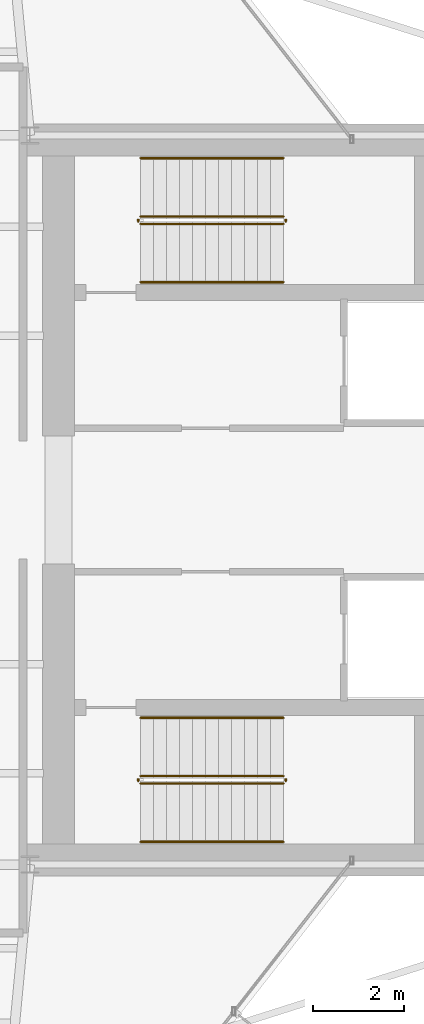
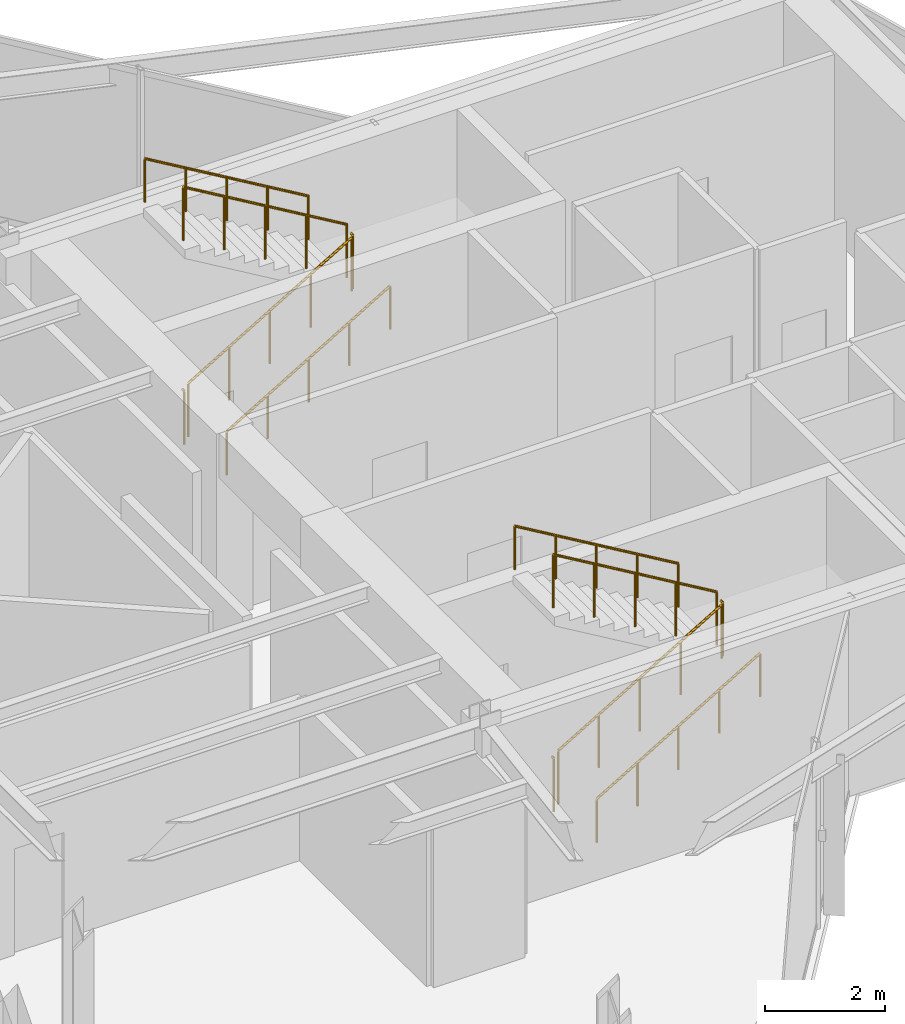
# One storey, part 21 of 21: 12 railings.
"""IFC4 building model written with IfcOpenShell, lengths in metres."""

from ifc_helpers import new_model, si_unit, direction, frame, origin, origin_2d, place, context, subcontext, project, spatial, circle, extrude, material, type_object, element, save


model = new_model("IFC4")

# Units and contexts
model_context = context("Model", 3, precision=1e-05, world=origin(), true_north=direction((0.0, 1.0)))
body_context = subcontext(model_context, "Body", "Model", "MODEL_VIEW")
ifc_project = project(units=[si_unit("LENGTHUNIT", "METRE"), si_unit("AREAUNIT", "SQUARE_METRE"), si_unit("VOLUMEUNIT", "CUBIC_METRE"), si_unit("PLANEANGLEUNIT", "RADIAN"), si_unit("MASSUNIT", "GRAM", prefix="KILO")], contexts=[model_context])

# Site, building, storey
site_placement = place(None, origin())
site = spatial("IfcSite", under=ifc_project, at=site_placement, CompositionType="ELEMENT")
building_placement = place(site_placement, origin())
building = spatial("IfcBuilding", under=site, at=building_placement, Name="Veymaron Broadcast Tower", CompositionType="ELEMENT")
storey_placement = place(building_placement, frame((0.0, 0.0, 244.5)))
storey = spatial("IfcBuildingStorey", under=building, at=storey_placement, Name="L57", CompositionType="ELEMENT", Elevation=244.5)

# Railings
ifc_material_1 = material(Name="Brushed stainless steel AISI 304", Category="steel")
railing_type_1 = type_object("IfcRailingType", Name="RAIL-STAIR-HR", PredefinedType="HANDRAIL", material=ifc_material_1)
railing_1_placement = place(storey_placement, frame((41.429931640625, 28.780029296875, 0.168701171875)))
element("IfcRailing", 1, at=railing_1_placement, inside=storey, type_object=railing_type_1, Name="L57 ST1 stair handrail 1", PredefinedType="HANDRAIL", context=body_context, shape_type="SweptSolid", body=[
    extrude(circle(Radius=0.02392578125, at=origin_2d()), frame((0.0, 0.0, 0.8759765625), z_axis=(0.860481960309, 0.0, 0.509480908359), x_axis=(0.0, 1.0, 0.0)), (0.0, 0.0, 1.0), 3.643310546875),
    extrude(circle(Radius=0.02099609375, at=origin_2d()), origin(), (0.0, 0.0, 1.0), 0.851806640625),
    extrude(circle(Radius=0.02099609375, at=origin_2d()), frame((0.78369140625, 0.0, 0.464111328125)), (0.0, 0.0, 1.0), 0.851806640625),
    extrude(circle(Radius=0.02099609375, at=origin_2d()), frame((1.5673828125, 0.0, 0.92822265625)), (0.0, 0.0, 1.0), 0.851806640625),
    extrude(circle(Radius=0.02099609375, at=origin_2d()), frame((2.351318359375, 0.0, 1.39208984375)), (0.0, 0.0, 1.0), 0.851806640625),
    extrude(circle(Radius=0.02099609375, at=origin_2d()), frame((3.135009765625, 0.0, 1.856201171875)), (0.0, 0.0, 1.0), 0.851806640625),
])
railing_2_placement = place(storey_placement, frame((44.56494140625, 31.5, 2.19384765625)))
element("IfcRailing", 2, at=railing_2_placement, inside=storey, type_object=railing_type_1, Name="L57 ST1 stair handrail 2", PredefinedType="HANDRAIL", context=body_context, shape_type="SweptSolid", body=[
    extrude(circle(Radius=0.02392578125, at=origin_2d()), frame((0.0, 0.0, 0.8759765625), z_axis=(-0.860481960309, 0.0, 0.509480908359), x_axis=(0.0, -1.0, 0.0)), (0.0, 0.0, 1.0), 3.643310546875),
    extrude(circle(Radius=0.02099609375, at=origin_2d()), origin(), (0.0, 0.0, 1.0), 0.851806640625),
    extrude(circle(Radius=0.02099609375, at=origin_2d()), frame((-0.78369140625, 0.0, 0.464111328125)), (0.0, 0.0, 1.0), 0.851806640625),
    extrude(circle(Radius=0.02099609375, at=origin_2d()), frame((-1.5673828125, 0.0, 0.92822265625)), (0.0, 0.0, 1.0), 0.851806640625),
    extrude(circle(Radius=0.02099609375, at=origin_2d()), frame((-2.351318359375, 0.0, 1.39208984375)), (0.0, 0.0, 1.0), 0.851806640625),
    extrude(circle(Radius=0.02099609375, at=origin_2d()), frame((-3.135009765625, 0.0, 1.856201171875)), (0.0, 0.0, 1.0), 0.851806640625),
])
railing_3_placement = place(storey_placement, frame((41.429931640625, 16.5, 0.168701171875)))
element("IfcRailing", 3, at=railing_3_placement, inside=storey, type_object=railing_type_1, Name="L57 ST2 stair handrail 1", PredefinedType="HANDRAIL", context=body_context, shape_type="SweptSolid", body=[
    extrude(circle(Radius=0.02392578125, at=origin_2d()), frame((0.0, 0.0, 0.8759765625), z_axis=(0.860481960309, 0.0, 0.509480908359), x_axis=(0.0, 1.0, 0.0)), (0.0, 0.0, 1.0), 3.643310546875),
    extrude(circle(Radius=0.02099609375, at=origin_2d()), origin(), (0.0, 0.0, 1.0), 0.851806640625),
    extrude(circle(Radius=0.02099609375, at=origin_2d()), frame((0.78369140625, 0.0, 0.464111328125)), (0.0, 0.0, 1.0), 0.851806640625),
    extrude(circle(Radius=0.02099609375, at=origin_2d()), frame((1.5673828125, 0.0, 0.92822265625)), (0.0, 0.0, 1.0), 0.851806640625),
    extrude(circle(Radius=0.02099609375, at=origin_2d()), frame((2.351318359375, 0.0, 1.39208984375)), (0.0, 0.0, 1.0), 0.851806640625),
    extrude(circle(Radius=0.02099609375, at=origin_2d()), frame((3.135009765625, 0.0, 1.856201171875)), (0.0, 0.0, 1.0), 0.851806640625),
])
railing_4_placement = place(storey_placement, frame((44.56494140625, 19.219970703125, 2.19384765625)))
element("IfcRailing", 4, at=railing_4_placement, inside=storey, type_object=railing_type_1, Name="L57 ST2 stair handrail 2", PredefinedType="HANDRAIL", context=body_context, shape_type="SweptSolid", body=[
    extrude(circle(Radius=0.02392578125, at=origin_2d()), frame((0.0, 0.0, 0.8759765625), z_axis=(-0.860481960309, 0.0, 0.509480908359), x_axis=(0.0, -1.0, 0.0)), (0.0, 0.0, 1.0), 3.643310546875),
    extrude(circle(Radius=0.02099609375, at=origin_2d()), origin(), (0.0, 0.0, 1.0), 0.851806640625),
    extrude(circle(Radius=0.02099609375, at=origin_2d()), frame((-0.78369140625, 0.0, 0.464111328125)), (0.0, 0.0, 1.0), 0.851806640625),
    extrude(circle(Radius=0.02099609375, at=origin_2d()), frame((-1.5673828125, 0.0, 0.92822265625)), (0.0, 0.0, 1.0), 0.851806640625),
    extrude(circle(Radius=0.02099609375, at=origin_2d()), frame((-2.351318359375, 0.0, 1.39208984375)), (0.0, 0.0, 1.0), 0.851806640625),
    extrude(circle(Radius=0.02099609375, at=origin_2d()), frame((-3.135009765625, 0.0, 1.856201171875)), (0.0, 0.0, 1.0), 0.851806640625),
])
ifc_material_2 = material(Name="Painted galvanized steel balustrade", Category="steel")
railing_type_2 = type_object("IfcRailingType", Name="RAIL-WELL-GRD", PredefinedType="GUARDRAIL", material=ifc_material_2)
railing_5_placement = place(storey_placement, frame((41.429931640625, 30.06005859375, 0.168701171875)))
element("IfcRailing", 5, at=railing_5_placement, inside=storey, type_object=railing_type_2, Name="L57 ST1 stair guard 1", PredefinedType="GUARDRAIL", context=body_context, shape_type="SweptSolid", body=[
    extrude(circle(Radius=0.02392578125, at=origin_2d()), frame((0.0, 0.0, 1.076171875), z_axis=(0.860481960309, 0.0, 0.509480908359), x_axis=(0.0, 1.0, 0.0)), (0.0, 0.0, 1.0), 3.643310546875),
    extrude(circle(Radius=0.02099609375, at=origin_2d()), origin(), (0.0, 0.0, 1.0), 1.052001953125),
    extrude(circle(Radius=0.02099609375, at=origin_2d()), frame((0.78369140625, 0.0, 0.464111328125)), (0.0, 0.0, 1.0), 1.052001953125),
    extrude(circle(Radius=0.02099609375, at=origin_2d()), frame((1.5673828125, 0.0, 0.92822265625)), (0.0, 0.0, 1.0), 1.052001953125),
    extrude(circle(Radius=0.02099609375, at=origin_2d()), frame((2.351318359375, 0.0, 1.39208984375)), (0.0, 0.0, 1.0), 1.052001953125),
    extrude(circle(Radius=0.02099609375, at=origin_2d()), frame((3.135009765625, 0.0, 1.856201171875)), (0.0, 0.0, 1.0), 1.052001953125),
])
railing_6_placement = place(storey_placement, frame((44.614990234375, 30.110107421875, 2.02490234375)))
element("IfcRailing", 6, at=railing_6_placement, inside=storey, type_object=railing_type_2, Name="L57 ST1 stair guard 2", PredefinedType="GUARDRAIL", context=body_context, shape_type="SweptSolid", body=[
    extrude(circle(Radius=0.02392578125, at=origin_2d()), frame((0.0, 0.0, 1.076171875), z_axis=(0.0, 1.0, 0.0), x_axis=(-1.0, 0.0, 0.0)), (0.0, 0.0, 1.0), 0.059814453125),
    extrude(circle(Radius=0.02099609375, at=origin_2d()), origin(), (0.0, 0.0, 1.0), 1.052001953125),
])
railing_7_placement = place(storey_placement, frame((44.56494140625, 30.219970703125, 2.19384765625)))
element("IfcRailing", 7, at=railing_7_placement, inside=storey, type_object=railing_type_2, Name="L57 ST1 stair guard 3", PredefinedType="GUARDRAIL", context=body_context, shape_type="SweptSolid", body=[
    extrude(circle(Radius=0.02392578125, at=origin_2d()), frame((0.0, 0.0, 1.076171875), z_axis=(-0.860481960309, 0.0, 0.509480908359), x_axis=(0.0, -1.0, 0.0)), (0.0, 0.0, 1.0), 3.643310546875),
    extrude(circle(Radius=0.02099609375, at=origin_2d()), origin(), (0.0, 0.0, 1.0), 1.052001953125),
    extrude(circle(Radius=0.02099609375, at=origin_2d()), frame((-0.78369140625, 0.0, 0.464111328125)), (0.0, 0.0, 1.0), 1.052001953125),
    extrude(circle(Radius=0.02099609375, at=origin_2d()), frame((-1.5673828125, 0.0, 0.92822265625)), (0.0, 0.0, 1.0), 1.052001953125),
    extrude(circle(Radius=0.02099609375, at=origin_2d()), frame((-2.351318359375, 0.0, 1.39208984375)), (0.0, 0.0, 1.0), 1.052001953125),
    extrude(circle(Radius=0.02099609375, at=origin_2d()), frame((-3.135009765625, 0.0, 1.856201171875)), (0.0, 0.0, 1.0), 1.052001953125),
])
railing_8_placement = place(storey_placement, frame((41.3798828125, 30.110107421875, 0.0)))
element("IfcRailing", 8, at=railing_8_placement, inside=storey, type_object=railing_type_2, Name="L57 ST1 stair guard 4", PredefinedType="GUARDRAIL", context=body_context, shape_type="SweptSolid", body=[
    extrude(circle(Radius=0.02392578125, at=origin_2d()), frame((0.0, 0.0, 1.076171875), z_axis=(0.0, 1.0, 0.0), x_axis=(-1.0, 0.0, 0.0)), (0.0, 0.0, 1.0), 0.059814453125),
    extrude(circle(Radius=0.02099609375, at=origin_2d()), origin(), (0.0, 0.0, 1.0), 1.052001953125),
])
railing_9_placement = place(storey_placement, frame((41.429931640625, 17.780029296875, 0.168701171875)))
element("IfcRailing", 9, at=railing_9_placement, inside=storey, type_object=railing_type_2, Name="L57 ST2 stair guard 1", PredefinedType="GUARDRAIL", context=body_context, shape_type="SweptSolid", body=[
    extrude(circle(Radius=0.02392578125, at=origin_2d()), frame((0.0, 0.0, 1.076171875), z_axis=(0.860481960309, 0.0, 0.509480908359), x_axis=(0.0, 1.0, 0.0)), (0.0, 0.0, 1.0), 3.643310546875),
    extrude(circle(Radius=0.02099609375, at=origin_2d()), origin(), (0.0, 0.0, 1.0), 1.052001953125),
    extrude(circle(Radius=0.02099609375, at=origin_2d()), frame((0.78369140625, 0.0, 0.464111328125)), (0.0, 0.0, 1.0), 1.052001953125),
    extrude(circle(Radius=0.02099609375, at=origin_2d()), frame((1.5673828125, 0.0, 0.92822265625)), (0.0, 0.0, 1.0), 1.052001953125),
    extrude(circle(Radius=0.02099609375, at=origin_2d()), frame((2.351318359375, 0.0, 1.39208984375)), (0.0, 0.0, 1.0), 1.052001953125),
    extrude(circle(Radius=0.02099609375, at=origin_2d()), frame((3.135009765625, 0.0, 1.856201171875)), (0.0, 0.0, 1.0), 1.052001953125),
])
railing_10_placement = place(storey_placement, frame((44.614990234375, 17.830078125, 2.02490234375)))
element("IfcRailing", 10, at=railing_10_placement, inside=storey, type_object=railing_type_2, Name="L57 ST2 stair guard 2", PredefinedType="GUARDRAIL", context=body_context, shape_type="SweptSolid", body=[
    extrude(circle(Radius=0.02392578125, at=origin_2d()), frame((0.0, 0.0, 1.076171875), z_axis=(0.0, 1.0, 0.0), x_axis=(-1.0, 0.0, 0.0)), (0.0, 0.0, 1.0), 0.059814453125),
    extrude(circle(Radius=0.02099609375, at=origin_2d()), origin(), (0.0, 0.0, 1.0), 1.052001953125),
])
railing_11_placement = place(storey_placement, frame((44.56494140625, 17.93994140625, 2.19384765625)))
element("IfcRailing", 11, at=railing_11_placement, inside=storey, type_object=railing_type_2, Name="L57 ST2 stair guard 3", PredefinedType="GUARDRAIL", context=body_context, shape_type="SweptSolid", body=[
    extrude(circle(Radius=0.02392578125, at=origin_2d()), frame((0.0, 0.0, 1.076171875), z_axis=(-0.860481960309, 0.0, 0.509480908359), x_axis=(0.0, -1.0, 0.0)), (0.0, 0.0, 1.0), 3.643310546875),
    extrude(circle(Radius=0.02099609375, at=origin_2d()), origin(), (0.0, 0.0, 1.0), 1.052001953125),
    extrude(circle(Radius=0.02099609375, at=origin_2d()), frame((-0.78369140625, 0.0, 0.464111328125)), (0.0, 0.0, 1.0), 1.052001953125),
    extrude(circle(Radius=0.02099609375, at=origin_2d()), frame((-1.5673828125, 0.0, 0.92822265625)), (0.0, 0.0, 1.0), 1.052001953125),
    extrude(circle(Radius=0.02099609375, at=origin_2d()), frame((-2.351318359375, 0.0, 1.39208984375)), (0.0, 0.0, 1.0), 1.052001953125),
    extrude(circle(Radius=0.02099609375, at=origin_2d()), frame((-3.135009765625, 0.0, 1.856201171875)), (0.0, 0.0, 1.0), 1.052001953125),
])
railing_12_placement = place(storey_placement, frame((41.3798828125, 17.830078125, 0.0)))
element("IfcRailing", 12, at=railing_12_placement, inside=storey, type_object=railing_type_2, Name="L57 ST2 stair guard 4", PredefinedType="GUARDRAIL", context=body_context, shape_type="SweptSolid", body=[
    extrude(circle(Radius=0.02392578125, at=origin_2d()), frame((0.0, 0.0, 1.076171875), z_axis=(0.0, 1.0, 0.0), x_axis=(-1.0, 0.0, 0.0)), (0.0, 0.0, 1.0), 0.059814453125),
    extrude(circle(Radius=0.02099609375, at=origin_2d()), origin(), (0.0, 0.0, 1.0), 1.052001953125),
])

save(model, "model.ifc")
